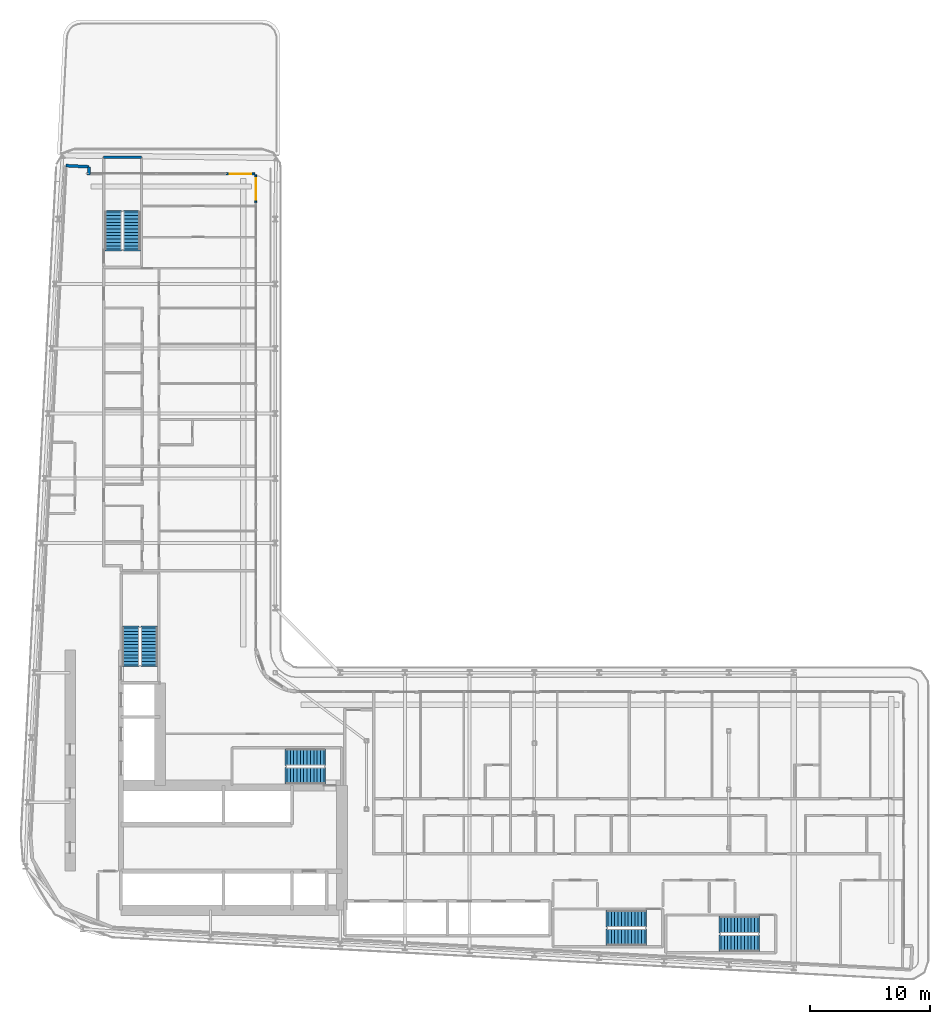
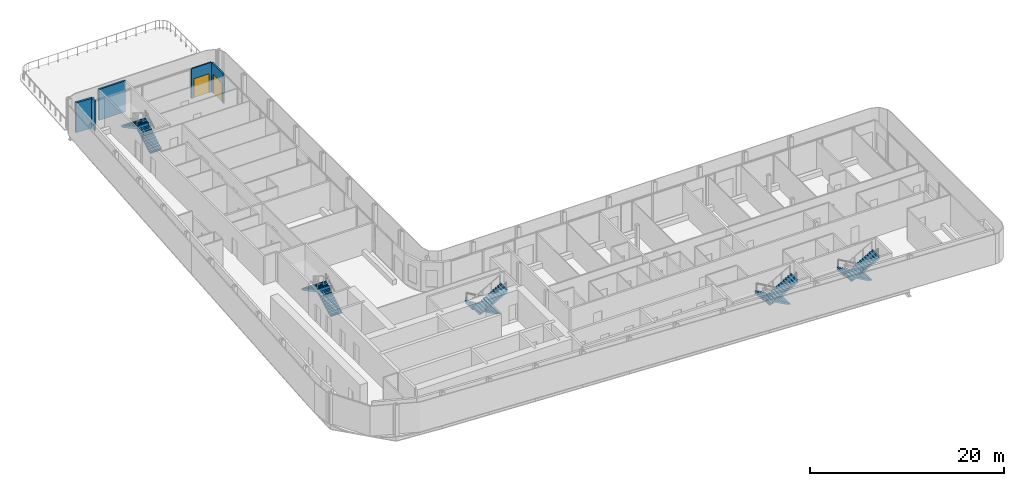
# One storey, part 20 of 28: 10 stair flights, 5 walls, 2 doors, 2 openings, 5 elements without a shape of their own.
"""IFC4 building model written with IfcOpenShell, lengths in metres."""

from ifc_helpers import new_model, si_unit, direction, frame, frame_2d, origin, place, context, subcontext, project, spatial, polyline, rectangle, outline, extrude, source, transform, mapped, material, layer, layer_set, type_object, element, fill, aggregate, save


model = new_model("IFC4")

# Units and contexts
model_context = context("Model", 3, precision=1e-05, world=origin(), true_north=direction((0.0, 1.0)))
body_context = subcontext(model_context, "Body", "Model", "MODEL_VIEW")
ifc_project = project(units=[si_unit("LENGTHUNIT", "METRE"), si_unit("AREAUNIT", "SQUARE_METRE"), si_unit("VOLUMEUNIT", "CUBIC_METRE"), si_unit("PLANEANGLEUNIT", "RADIAN"), si_unit("MASSUNIT", "GRAM", prefix="KILO")], contexts=[model_context])

# Site, building, storey
site_placement = place(None, origin())
site = spatial("IfcSite", under=ifc_project, at=site_placement, CompositionType="ELEMENT")
building_placement = place(site_placement, origin())
building = spatial("IfcBuilding", under=site, at=building_placement, Name="Kheshtan School and Residences Tower", CompositionType="ELEMENT")
storey_placement = place(building_placement, frame((0.0, 0.0, 94.10009765625)))
storey = spatial("IfcBuildingStorey", under=building, at=storey_placement, Name="L21", CompositionType="ELEMENT", Elevation=94.10009765625)

# Walls
ifc_material_1 = material(Name="Concrete C40/50 with ceramic cladding and mineral wool insulation", Category="concrete")
ifc_layer_1 = layer(ifc_material_1, 0.25)
ifc_layer_set_1 = layer_set([ifc_layer_1], Name="External wall 250 ceramic clad")
wall_type_1 = type_object("IfcWallType", Name="External wall 250 ceramic clad", PredefinedType="SOLIDWALL", material=ifc_layer_set_1)
wall_1_placement = place(storey_placement, frame((30.136962890625, 87.864013671875, 0.0), z_axis=(0.0, 0.0, 1.0), x_axis=(0.998577785791, -0.053314216913, 0.0)))
element("IfcWall", 1, at=wall_1_placement, inside=storey, type_object=wall_type_1, Name="External wall L21 1", PredefinedType="SOLIDWALL", context=body_context, shape_type="SweptSolid", body=[
    extrude(rectangle(XDim=1.95068359375, YDim=0.25, at=frame_2d((0.975341796875, 0.0))), origin(), (0.0, 0.0, 1.0), 3.75),
])
wall_2_placement = place(storey_placement, frame((32.0849609375, 87.760009765625, 0.0), z_axis=(0.0, 0.0, 1.0), x_axis=(-0.053729014033, -0.998555553312, 0.0)))
element("IfcWall", 2, at=wall_2_placement, inside=storey, type_object=wall_type_1, Name="External wall L21 2", PredefinedType="SOLIDWALL", context=body_context, shape_type="SweptSolid", body=[
    extrude(rectangle(XDim=0.66796875, YDim=0.25, at=frame_2d((0.333984375, 0.0))), origin(), (0.0, 0.0, 1.0), 3.75),
])

# Wall, opening, door
ifc_material_2 = material(Name="Aluminium frame wall with insulated infill", Category="aluminium")
ifc_layer_2 = layer(ifc_material_2, 0.14990234375)
ifc_layer_set_2 = layer_set([ifc_layer_2], Name="Glazing frame wall 150")
wall_type_2 = type_object("IfcWallType", Name="Glazing frame wall 150", PredefinedType="SOLIDWALL", material=ifc_layer_set_2)
wall_3_placement = place(storey_placement, frame((43.5, 87.175048828125, 0.0), z_axis=(0.0, 0.0, 1.0), x_axis=(1.0, 0.0, 0.0)))
wall_3 = element("IfcWall", 3, at=wall_3_placement, inside=storey, type_object=wall_type_2, Name="Balcony door wall L21 3.1", PredefinedType="SOLIDWALL", context=body_context, shape_type="SweptSolid", body=[
    extrude(rectangle(XDim=2.39990234375, YDim=0.14990234375, at=frame_2d((1.199951171875, 0.0))), origin(), (0.0, 0.0, 1.0), 3.75),
])
opening_1_placement = place(wall_3_placement, frame((0.300048828125, 0.0, 0.0)))
opening_1 = element("IfcOpeningElement", 4, at=opening_1_placement, cuts=wall_3, Name="Opening BD", PredefinedType="OPENING", context=body_context, shape_type="SweptSolid", body=[
    extrude(rectangle(XDim=1.800048828125, YDim=2.39990234375, at=frame_2d((0.89990234375, 1.199951171875))), frame((0.0, 0.0849609375, 0.0), z_axis=(0.0, -1.0, 0.0), x_axis=(1.0, 0.0, 0.0)), (0.0, 0.0, 1.0), 0.169921875),
])
ifc_material_3 = material(Name="Clear low-e glass in thermally broken aluminium frame", Category="aluminium")
door_type = type_object("IfcDoorType", Name="Balcony sliding door", OperationType="SLIDING_TO_LEFT", PredefinedType="DOOR", material=ifc_material_3)
shared_shape = source(origin(), body_context, "Body", "SweptSolid", [
    extrude(rectangle(XDim=1.800048828125, YDim=2.39990234375, at=frame_2d((0.89990234375, 1.199951171875))), frame((0.0, 0.02490234375, 0.0), z_axis=(0.0, -1.0, 0.0), x_axis=(1.0, 0.0, 0.0)), (0.0, 0.0, 1.0), 0.050048828125),
])
door_1_placement = place(opening_1_placement, origin())
door_1 = element("IfcDoor", 5, at=door_1_placement, inside=storey, type_object=door_type, Name="Balcony door L21 3.1", OperationType="SLIDING_TO_LEFT", OverallHeight=2.39990234375, OverallWidth=1.800048828125, PredefinedType="DOOR", context=body_context, shape_type="MappedRepresentation", body=[
    mapped(shared_shape, transform((0.0, 0.0, 0.0), x_axis=(1.0, 0.0, 0.0), y_axis=(0.0, 1.0, 0.0), z_axis=(0.0, 0.0, 1.0), scale=1.0)),
])
fill(opening_1, door_1)

wall_4_placement = place(storey_placement, frame((45.97509765625, 87.10009765625, 0.0), z_axis=(0.0, 0.0, 1.0), x_axis=(0.0, -1.0, 0.0)))
wall_4 = element("IfcWall", 6, at=wall_4_placement, inside=storey, type_object=wall_type_2, Name="Balcony door wall L21 4.1", PredefinedType="SOLIDWALL", context=body_context, shape_type="SweptSolid", body=[
    extrude(rectangle(XDim=2.400146484375, YDim=0.14990234375, at=frame_2d((1.2001953125, 0.0))), origin(), (0.0, 0.0, 1.0), 3.75),
])
opening_2_placement = place(wall_4_placement, frame((0.300048828125, 0.0, 0.0)))
opening_2 = element("IfcOpeningElement", 7, at=opening_2_placement, cuts=wall_4, Name="Opening BD", PredefinedType="OPENING", context=body_context, shape_type="SweptSolid", body=[
    extrude(rectangle(XDim=1.800048828125, YDim=2.39990234375, at=frame_2d((0.89990234375, 1.199951171875))), frame((0.0, 0.0849609375, 0.0), z_axis=(0.0, -1.0, 0.0), x_axis=(1.0, 0.0, 0.0)), (0.0, 0.0, 1.0), 0.169921875),
])
door_2_placement = place(opening_2_placement, origin())
door_2 = element("IfcDoor", 8, at=door_2_placement, inside=storey, type_object=door_type, Name="Balcony door L21 4.1", OperationType="SLIDING_TO_LEFT", OverallHeight=2.39990234375, OverallWidth=1.800048828125, PredefinedType="DOOR", context=body_context, shape_type="MappedRepresentation", body=[
    mapped(shared_shape, transform((0.0, 0.0, 0.0), x_axis=(1.0, 0.0, 0.0), y_axis=(0.0, 1.0, 0.0), z_axis=(0.0, 0.0, 1.0), scale=1.0)),
])
fill(opening_2, door_2)

# Wall
ifc_material_4 = material(Name="Concrete C40/50", Category="concrete")
ifc_layer_3 = layer(ifc_material_4, 0.199951171875)
ifc_layer_set_3 = layer_set([ifc_layer_3], Name="Stair enclosure wall 200 Concrete C40/50")
wall_type_3 = type_object("IfcWallType", Name="Stair enclosure wall 200 Concrete C40/50", PredefinedType="SHEAR", material=ifc_layer_set_3)
wall_5_placement = place(storey_placement, frame((33.300048828125, 88.56005859375, 0.0), z_axis=(0.0, 0.0, 1.0), x_axis=(1.0, 0.0, 0.0)))
element("IfcWall", 9, at=wall_5_placement, inside=storey, type_object=wall_type_3, Name="Stair enclosure wall ST3", PredefinedType="SHEAR", context=body_context, shape_type="SweptSolid", body=[
    extrude(rectangle(XDim=3.14990234375, YDim=0.199951171875, at=frame_2d((1.574951171875, 0.0))), origin(), (0.0, 0.0, 1.0), 3.89990234375),
])

# Stair, stair flights
stair_type = type_object("IfcStairType", Name="Exit stair, half-turn", PredefinedType="HALF_TURN_STAIR", material=ifc_material_4)
stair_1_placement = place(storey_placement, origin())
stair_1 = element("IfcStair", 10, at=stair_1_placement, inside=storey, type_object=stair_type, Name="L21 Protected Exit Stair ST1", PredefinedType="HALF_TURN_STAIR")
ifc_layer_4 = layer(ifc_material_4, 0.14990234375)
ifc_layer_set_4 = layer_set([ifc_layer_4], Name="Stair flight 1400 Concrete C40/50")
stair_flight_type = type_object("IfcStairFlightType", Name="Stair flight 1400 Concrete C40/50", PredefinedType="STRAIGHT", material=ifc_layer_set_4)
stair_flight_1_placement = place(storey_placement, frame((51.64990234375, 38.550048828125, 0.0), z_axis=(0.0, 0.0, 1.0), x_axis=(-1.0, 0.0, 0.0)))
stair_flight_1 = element("IfcStairFlight", 11, at=stair_flight_1_placement, type_object=stair_flight_type, Name="ST1 flight 1", NumberOfRisers=12, NumberOfTreads=11, PredefinedType="STRAIGHT", RiserHeight=0.1625, TreadLength=0.28, context=body_context, shape_type="SweptSolid", body=[
    extrude(outline(polyline([(-0.14990234375, -0.10009765625), (-0.14990234375, 0.0), (0.0, 0.0), (0.0, 0.16259765625), (0.280029296875, 0.16259765625), (0.280029296875, 0.324951171875), (0.56005859375, 0.324951171875), (0.56005859375, 0.487548828125), (0.840087890625, 0.487548828125), (0.840087890625, 0.64990234375), (1.1201171875, 0.64990234375), (1.1201171875, 0.8125), (1.39990234375, 0.8125), (1.39990234375, 0.97509765625), (1.679931640625, 0.97509765625), (1.679931640625, 1.137451171875), (1.9599609375, 1.137451171875), (1.9599609375, 1.300048828125), (2.239990234375, 1.300048828125), (2.239990234375, 1.46240234375), (2.52001953125, 1.46240234375), (2.52001953125, 1.625), (2.800048828125, 1.625), (2.800048828125, 1.78759765625), (3.080078125, 1.78759765625), (3.080078125, 1.949951171875), (3.080078125, 1.969970703125), (3.22998046875, 1.969970703125), (3.22998046875, 1.6142578125), (0.298583984375, 0.0), (-0.14990234375, -0.10009765625)])), frame((0.0, 0.699951171875, 0.0), z_axis=(0.0, -1.0, 0.0), x_axis=(1.0, 0.0, 0.0)), (0.0, 0.0, 1.0), 1.39990234375),
])
stair_flight_2_placement = place(storey_placement, frame((48.570068359375, 37.0, 1.949951171875), z_axis=(0.0, 0.0, 1.0), x_axis=(1.0, 0.0, 0.0)))
stair_flight_2 = element("IfcStairFlight", 12, at=stair_flight_2_placement, type_object=stair_flight_type, Name="ST1 flight 2", NumberOfRisers=12, NumberOfTreads=11, PredefinedType="STRAIGHT", RiserHeight=0.1625, TreadLength=0.28, context=body_context, shape_type="SweptSolid", body=[
    extrude(outline(polyline([(-0.14990234375, -0.10009765625), (-0.14990234375, 0.0), (0.0, 0.0), (0.0, 0.16259765625), (0.280029296875, 0.16259765625), (0.280029296875, 0.324951171875), (0.56005859375, 0.324951171875), (0.56005859375, 0.487548828125), (0.840087890625, 0.487548828125), (0.840087890625, 0.64990234375), (1.1201171875, 0.64990234375), (1.1201171875, 0.8125), (1.39990234375, 0.8125), (1.39990234375, 0.97509765625), (1.679931640625, 0.97509765625), (1.679931640625, 1.137451171875), (1.9599609375, 1.137451171875), (1.9599609375, 1.300048828125), (2.239990234375, 1.300048828125), (2.239990234375, 1.46240234375), (2.52001953125, 1.46240234375), (2.52001953125, 1.625), (2.800048828125, 1.625), (2.800048828125, 1.78759765625), (3.080078125, 1.78759765625), (3.080078125, 1.949951171875), (3.080078125, 1.969970703125), (3.22998046875, 1.969970703125), (3.22998046875, 1.6142578125), (0.298583984375, 0.0), (-0.14990234375, -0.10009765625)])), frame((0.0, 0.699951171875, 0.0), z_axis=(0.0, -1.0, 0.0), x_axis=(1.0, 0.0, 0.0)), (0.0, 0.0, 1.0), 1.39990234375),
])
aggregate(stair_1, [stair_flight_1, stair_flight_2])

stair_2_placement = place(storey_placement, origin())
stair_2 = element("IfcStair", 13, at=stair_2_placement, inside=storey, type_object=stair_type, Name="L21 Protected Exit Stair ST2", PredefinedType="HALF_TURN_STAIR")
stair_flight_3_placement = place(storey_placement, frame((37.10009765625, 46.25, 0.0), z_axis=(0.0, 0.0, 1.0), x_axis=(0.0, 1.0, 0.0)))
stair_flight_3 = element("IfcStairFlight", 14, at=stair_flight_3_placement, type_object=stair_flight_type, Name="ST2 flight 1", NumberOfRisers=12, NumberOfTreads=11, PredefinedType="STRAIGHT", RiserHeight=0.1625, TreadLength=0.28, context=body_context, shape_type="SweptSolid", body=[
    extrude(outline(polyline([(-0.14990234375, -0.10009765625), (-0.14990234375, 0.0), (0.0, 0.0), (0.0, 0.16259765625), (0.280029296875, 0.16259765625), (0.280029296875, 0.324951171875), (0.56005859375, 0.324951171875), (0.56005859375, 0.487548828125), (0.840087890625, 0.487548828125), (0.840087890625, 0.64990234375), (1.1201171875, 0.64990234375), (1.1201171875, 0.8125), (1.39990234375, 0.8125), (1.39990234375, 0.97509765625), (1.679931640625, 0.97509765625), (1.679931640625, 1.137451171875), (1.9599609375, 1.137451171875), (1.9599609375, 1.300048828125), (2.239990234375, 1.300048828125), (2.239990234375, 1.46240234375), (2.52001953125, 1.46240234375), (2.52001953125, 1.625), (2.800048828125, 1.625), (2.800048828125, 1.78759765625), (3.080078125, 1.78759765625), (3.080078125, 1.949951171875), (3.080078125, 1.969970703125), (3.22998046875, 1.969970703125), (3.22998046875, 1.6142578125), (0.298583984375, 0.0), (-0.14990234375, -0.10009765625)])), frame((0.0, 0.699951171875, 0.0), z_axis=(0.0, -1.0, 0.0), x_axis=(1.0, 0.0, 0.0)), (0.0, 0.0, 1.0), 1.39990234375),
])
stair_flight_4_placement = place(storey_placement, frame((35.550048828125, 49.330078125, 1.949951171875), z_axis=(0.0, 0.0, 1.0), x_axis=(0.0, -1.0, 0.0)))
stair_flight_4 = element("IfcStairFlight", 15, at=stair_flight_4_placement, type_object=stair_flight_type, Name="ST2 flight 2", NumberOfRisers=12, NumberOfTreads=11, PredefinedType="STRAIGHT", RiserHeight=0.1625, TreadLength=0.28, context=body_context, shape_type="SweptSolid", body=[
    extrude(outline(polyline([(-0.14990234375, -0.10009765625), (-0.14990234375, 0.0), (0.0, 0.0), (0.0, 0.16259765625), (0.280029296875, 0.16259765625), (0.280029296875, 0.324951171875), (0.56005859375, 0.324951171875), (0.56005859375, 0.487548828125), (0.840087890625, 0.487548828125), (0.840087890625, 0.64990234375), (1.1201171875, 0.64990234375), (1.1201171875, 0.8125), (1.39990234375, 0.8125), (1.39990234375, 0.97509765625), (1.679931640625, 0.97509765625), (1.679931640625, 1.137451171875), (1.9599609375, 1.137451171875), (1.9599609375, 1.300048828125), (2.239990234375, 1.300048828125), (2.239990234375, 1.46240234375), (2.52001953125, 1.46240234375), (2.52001953125, 1.625), (2.800048828125, 1.625), (2.800048828125, 1.78759765625), (3.080078125, 1.78759765625), (3.080078125, 1.949951171875), (3.080078125, 1.969970703125), (3.22998046875, 1.969970703125), (3.22998046875, 1.6142578125), (0.298583984375, 0.0), (-0.14990234375, -0.10009765625)])), frame((0.0, 0.699951171875, 0.0), z_axis=(0.0, -1.0, 0.0), x_axis=(1.0, 0.0, 0.0)), (0.0, 0.0, 1.0), 1.39990234375),
])
aggregate(stair_2, [stair_flight_3, stair_flight_4])

stair_3_placement = place(storey_placement, origin())
stair_3 = element("IfcStair", 16, at=stair_3_placement, inside=storey, type_object=stair_type, Name="L21 Protected Exit Stair ST3", PredefinedType="HALF_TURN_STAIR")
stair_flight_5_placement = place(storey_placement, frame((35.64990234375, 80.89990234375, 0.0), z_axis=(0.0, 0.0, 1.0), x_axis=(0.0, 1.0, 0.0)))
stair_flight_5 = element("IfcStairFlight", 17, at=stair_flight_5_placement, type_object=stair_flight_type, Name="ST3 flight 1", NumberOfRisers=12, NumberOfTreads=11, PredefinedType="STRAIGHT", RiserHeight=0.1625, TreadLength=0.28, context=body_context, shape_type="SweptSolid", body=[
    extrude(outline(polyline([(-0.14990234375, -0.10009765625), (-0.14990234375, 0.0), (0.0, 0.0), (0.0, 0.16259765625), (0.280029296875, 0.16259765625), (0.280029296875, 0.324951171875), (0.56005859375, 0.324951171875), (0.56005859375, 0.487548828125), (0.840087890625, 0.487548828125), (0.840087890625, 0.64990234375), (1.1201171875, 0.64990234375), (1.1201171875, 0.8125), (1.39990234375, 0.8125), (1.39990234375, 0.97509765625), (1.679931640625, 0.97509765625), (1.679931640625, 1.137451171875), (1.9599609375, 1.137451171875), (1.9599609375, 1.300048828125), (2.239990234375, 1.300048828125), (2.239990234375, 1.46240234375), (2.52001953125, 1.46240234375), (2.52001953125, 1.625), (2.800048828125, 1.625), (2.800048828125, 1.78759765625), (3.080078125, 1.78759765625), (3.080078125, 1.949951171875), (3.080078125, 1.969970703125), (3.22998046875, 1.969970703125), (3.22998046875, 1.6142578125), (0.298583984375, 0.0), (-0.14990234375, -0.10009765625)])), frame((0.0, 0.699951171875, 0.0), z_axis=(0.0, -1.0, 0.0), x_axis=(1.0, 0.0, 0.0)), (0.0, 0.0, 1.0), 1.39990234375),
])
stair_flight_6_placement = place(storey_placement, frame((34.10009765625, 83.97998046875, 1.949951171875), z_axis=(0.0, 0.0, 1.0), x_axis=(0.0, -1.0, 0.0)))
stair_flight_6 = element("IfcStairFlight", 18, at=stair_flight_6_placement, type_object=stair_flight_type, Name="ST3 flight 2", NumberOfRisers=12, NumberOfTreads=11, PredefinedType="STRAIGHT", RiserHeight=0.1625, TreadLength=0.28, context=body_context, shape_type="SweptSolid", body=[
    extrude(outline(polyline([(-0.14990234375, -0.10009765625), (-0.14990234375, 0.0), (0.0, 0.0), (0.0, 0.16259765625), (0.280029296875, 0.16259765625), (0.280029296875, 0.324951171875), (0.56005859375, 0.324951171875), (0.56005859375, 0.487548828125), (0.840087890625, 0.487548828125), (0.840087890625, 0.64990234375), (1.1201171875, 0.64990234375), (1.1201171875, 0.8125), (1.39990234375, 0.8125), (1.39990234375, 0.97509765625), (1.679931640625, 0.97509765625), (1.679931640625, 1.137451171875), (1.9599609375, 1.137451171875), (1.9599609375, 1.300048828125), (2.239990234375, 1.300048828125), (2.239990234375, 1.46240234375), (2.52001953125, 1.46240234375), (2.52001953125, 1.625), (2.800048828125, 1.625), (2.800048828125, 1.78759765625), (3.080078125, 1.78759765625), (3.080078125, 1.949951171875), (3.080078125, 1.969970703125), (3.22998046875, 1.969970703125), (3.22998046875, 1.6142578125), (0.298583984375, 0.0), (-0.14990234375, -0.10009765625)])), frame((0.0, 0.699951171875, 0.0), z_axis=(0.0, -1.0, 0.0), x_axis=(1.0, 0.0, 0.0)), (0.0, 0.0, 1.0), 1.39990234375),
])
aggregate(stair_3, [stair_flight_5, stair_flight_6])

stair_4_placement = place(storey_placement, origin())
stair_4 = element("IfcStair", 19, at=stair_4_placement, inside=storey, type_object=stair_type, Name="L21 Protected Exit Stair ST4", PredefinedType="HALF_TURN_STAIR")
stair_flight_7_placement = place(storey_placement, frame((87.820068359375, 24.60009765625, 0.0), z_axis=(0.0, 0.0, 1.0), x_axis=(-1.0, 0.0, 0.0)))
stair_flight_7 = element("IfcStairFlight", 20, at=stair_flight_7_placement, type_object=stair_flight_type, Name="ST4 flight 1", NumberOfRisers=12, NumberOfTreads=11, PredefinedType="STRAIGHT", RiserHeight=0.1625, TreadLength=0.28, context=body_context, shape_type="SweptSolid", body=[
    extrude(outline(polyline([(-0.14990234375, -0.10009765625), (-0.14990234375, 0.0), (0.0, 0.0), (0.0, 0.16259765625), (0.280029296875, 0.16259765625), (0.280029296875, 0.324951171875), (0.56005859375, 0.324951171875), (0.56005859375, 0.487548828125), (0.840087890625, 0.487548828125), (0.840087890625, 0.64990234375), (1.1201171875, 0.64990234375), (1.1201171875, 0.8125), (1.39990234375, 0.8125), (1.39990234375, 0.97509765625), (1.679931640625, 0.97509765625), (1.679931640625, 1.137451171875), (1.9599609375, 1.137451171875), (1.9599609375, 1.300048828125), (2.239990234375, 1.300048828125), (2.239990234375, 1.46240234375), (2.52001953125, 1.46240234375), (2.52001953125, 1.625), (2.800048828125, 1.625), (2.800048828125, 1.78759765625), (3.080078125, 1.78759765625), (3.080078125, 1.949951171875), (3.080078125, 1.969970703125), (3.22998046875, 1.969970703125), (3.22998046875, 1.6142578125), (0.298583984375, 0.0), (-0.14990234375, -0.10009765625)])), frame((0.0, 0.699951171875, 0.0), z_axis=(0.0, -1.0, 0.0), x_axis=(1.0, 0.0, 0.0)), (0.0, 0.0, 1.0), 1.39990234375),
])
stair_flight_8_placement = place(storey_placement, frame((84.739990234375, 23.050048828125, 1.949951171875), z_axis=(0.0, 0.0, 1.0), x_axis=(1.0, 0.0, 0.0)))
stair_flight_8 = element("IfcStairFlight", 21, at=stair_flight_8_placement, type_object=stair_flight_type, Name="ST4 flight 2", NumberOfRisers=12, NumberOfTreads=11, PredefinedType="STRAIGHT", RiserHeight=0.1625, TreadLength=0.28, context=body_context, shape_type="SweptSolid", body=[
    extrude(outline(polyline([(-0.14990234375, -0.10009765625), (-0.14990234375, 0.0), (0.0, 0.0), (0.0, 0.16259765625), (0.280029296875, 0.16259765625), (0.280029296875, 0.324951171875), (0.56005859375, 0.324951171875), (0.56005859375, 0.487548828125), (0.840087890625, 0.487548828125), (0.840087890625, 0.64990234375), (1.1201171875, 0.64990234375), (1.1201171875, 0.8125), (1.39990234375, 0.8125), (1.39990234375, 0.97509765625), (1.679931640625, 0.97509765625), (1.679931640625, 1.137451171875), (1.9599609375, 1.137451171875), (1.9599609375, 1.300048828125), (2.239990234375, 1.300048828125), (2.239990234375, 1.46240234375), (2.52001953125, 1.46240234375), (2.52001953125, 1.625), (2.800048828125, 1.625), (2.800048828125, 1.78759765625), (3.080078125, 1.78759765625), (3.080078125, 1.949951171875), (3.080078125, 1.969970703125), (3.22998046875, 1.969970703125), (3.22998046875, 1.6142578125), (0.298583984375, 0.0), (-0.14990234375, -0.10009765625)])), frame((0.0, 0.699951171875, 0.0), z_axis=(0.0, -1.0, 0.0), x_axis=(1.0, 0.0, 0.0)), (0.0, 0.0, 1.0), 1.39990234375),
])
aggregate(stair_4, [stair_flight_7, stair_flight_8])

stair_5_placement = place(storey_placement, origin())
stair_5 = element("IfcStair", 22, at=stair_5_placement, inside=storey, type_object=stair_type, Name="L21 Protected Exit Stair ST5", PredefinedType="HALF_TURN_STAIR")
stair_flight_9_placement = place(storey_placement, frame((78.409912109375, 25.10009765625, 0.0), z_axis=(0.0, 0.0, 1.0), x_axis=(-1.0, 0.0, 0.0)))
stair_flight_9 = element("IfcStairFlight", 23, at=stair_flight_9_placement, type_object=stair_flight_type, Name="ST5 flight 1", NumberOfRisers=12, NumberOfTreads=11, PredefinedType="STRAIGHT", RiserHeight=0.1625, TreadLength=0.28, context=body_context, shape_type="SweptSolid", body=[
    extrude(outline(polyline([(-0.14990234375, -0.10009765625), (-0.14990234375, 0.0), (0.0, 0.0), (0.0, 0.16259765625), (0.280029296875, 0.16259765625), (0.280029296875, 0.324951171875), (0.56005859375, 0.324951171875), (0.56005859375, 0.487548828125), (0.840087890625, 0.487548828125), (0.840087890625, 0.64990234375), (1.1201171875, 0.64990234375), (1.1201171875, 0.8125), (1.39990234375, 0.8125), (1.39990234375, 0.97509765625), (1.679931640625, 0.97509765625), (1.679931640625, 1.137451171875), (1.9599609375, 1.137451171875), (1.9599609375, 1.300048828125), (2.239990234375, 1.300048828125), (2.239990234375, 1.46240234375), (2.52001953125, 1.46240234375), (2.52001953125, 1.625), (2.800048828125, 1.625), (2.800048828125, 1.78759765625), (3.080078125, 1.78759765625), (3.080078125, 1.949951171875), (3.080078125, 1.969970703125), (3.22998046875, 1.969970703125), (3.22998046875, 1.6142578125), (0.298583984375, 0.0), (-0.14990234375, -0.10009765625)])), frame((0.0, 0.699951171875, 0.0), z_axis=(0.0, -1.0, 0.0), x_axis=(1.0, 0.0, 0.0)), (0.0, 0.0, 1.0), 1.39990234375),
])
stair_flight_10_placement = place(storey_placement, frame((75.330078125, 23.550048828125, 1.949951171875), z_axis=(0.0, 0.0, 1.0), x_axis=(1.0, 0.0, 0.0)))
stair_flight_10 = element("IfcStairFlight", 24, at=stair_flight_10_placement, type_object=stair_flight_type, Name="ST5 flight 2", NumberOfRisers=12, NumberOfTreads=11, PredefinedType="STRAIGHT", RiserHeight=0.1625, TreadLength=0.28, context=body_context, shape_type="SweptSolid", body=[
    extrude(outline(polyline([(-0.14990234375, -0.10009765625), (-0.14990234375, 0.0), (0.0, 0.0), (0.0, 0.16259765625), (0.280029296875, 0.16259765625), (0.280029296875, 0.324951171875), (0.56005859375, 0.324951171875), (0.56005859375, 0.487548828125), (0.840087890625, 0.487548828125), (0.840087890625, 0.64990234375), (1.1201171875, 0.64990234375), (1.1201171875, 0.8125), (1.39990234375, 0.8125), (1.39990234375, 0.97509765625), (1.679931640625, 0.97509765625), (1.679931640625, 1.137451171875), (1.9599609375, 1.137451171875), (1.9599609375, 1.300048828125), (2.239990234375, 1.300048828125), (2.239990234375, 1.46240234375), (2.52001953125, 1.46240234375), (2.52001953125, 1.625), (2.800048828125, 1.625), (2.800048828125, 1.78759765625), (3.080078125, 1.78759765625), (3.080078125, 1.949951171875), (3.080078125, 1.969970703125), (3.22998046875, 1.969970703125), (3.22998046875, 1.6142578125), (0.298583984375, 0.0), (-0.14990234375, -0.10009765625)])), frame((0.0, 0.699951171875, 0.0), z_axis=(0.0, -1.0, 0.0), x_axis=(1.0, 0.0, 0.0)), (0.0, 0.0, 1.0), 1.39990234375),
])
aggregate(stair_5, [stair_flight_9, stair_flight_10])

save(model, "model.ifc")
